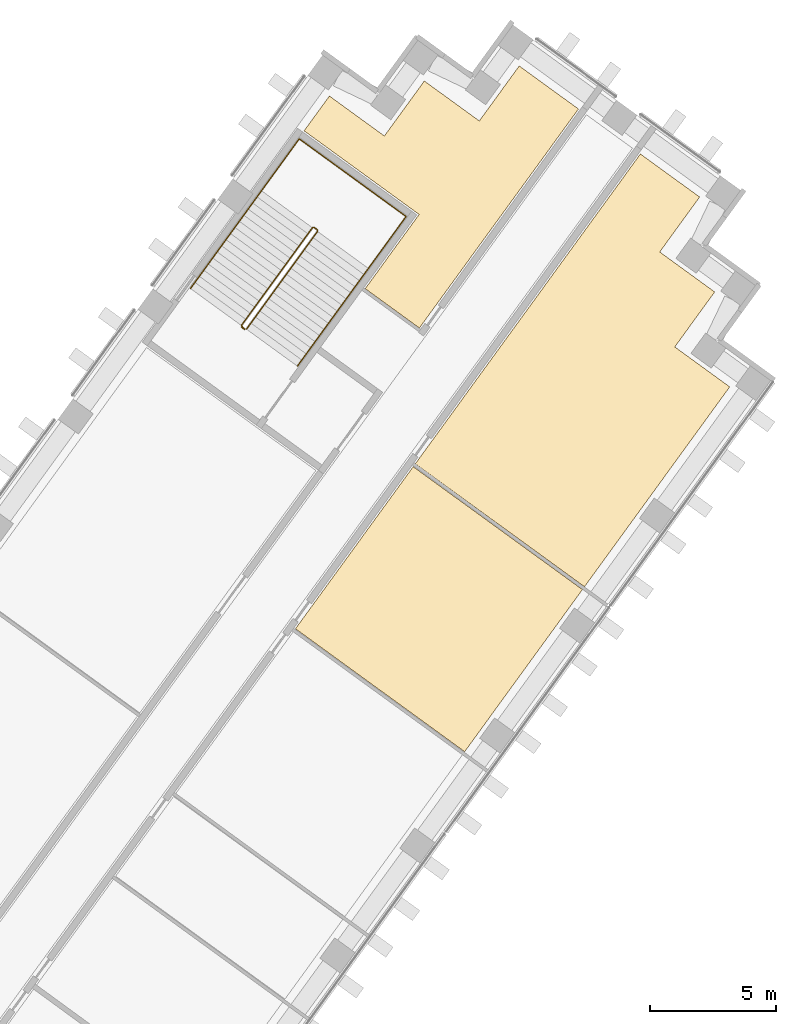
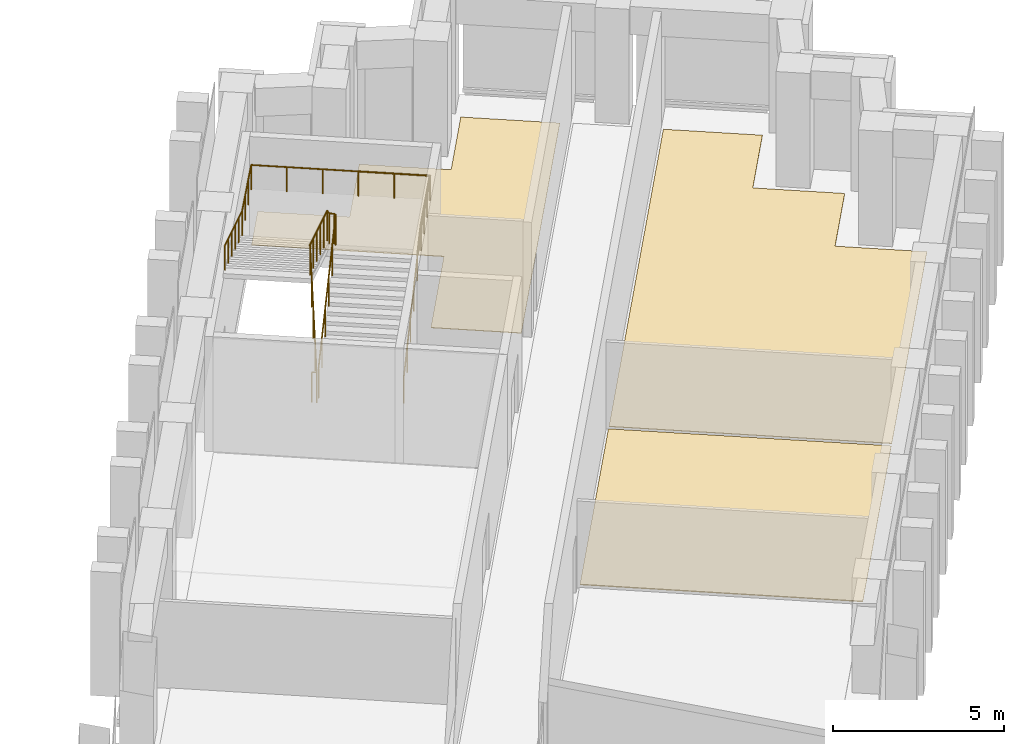
# One storey, part 15 of 15: 3 coverings, 2 railings.
"""IFC4 building model written with IfcOpenShell, lengths in metres."""

from ifc_helpers import new_model, si_unit, direction, frame, origin, origin_2d, place, context, subcontext, project, spatial, polyline, circle, outline, extrude, material, layer, layer_set, type_object, element, save


model = new_model("IFC4")

# Units and contexts
model_context = context("Model", 3, precision=1e-05, world=origin(), true_north=direction((0.0, 1.0)))
body_context = subcontext(model_context, "Body", "Model", "MODEL_VIEW")
ifc_project = project(units=[si_unit("LENGTHUNIT", "METRE"), si_unit("AREAUNIT", "SQUARE_METRE"), si_unit("VOLUMEUNIT", "CUBIC_METRE"), si_unit("PLANEANGLEUNIT", "RADIAN"), si_unit("MASSUNIT", "GRAM", prefix="KILO")], contexts=[model_context])

# Site, building, storey
site_placement = place(None, origin())
site = spatial("IfcSite", under=ifc_project, at=site_placement, CompositionType="ELEMENT")
building_placement = place(site_placement, origin())
building = spatial("IfcBuilding", under=site, at=building_placement, Name="Quipu Civic Tower", CompositionType="ELEMENT")
storey_placement = place(building_placement, frame((0.0, 0.0, 11.5)))
storey = spatial("IfcBuildingStorey", under=building, at=storey_placement, Name="L02", CompositionType="ELEMENT", Elevation=11.5)

# Coverings
ifc_material_1 = material(Name="Carpet tile on raised access floor")
ifc_layer_1 = layer(ifc_material_1, 0.02001953125)
ifc_layer_set_1 = layer_set([ifc_layer_1], Name="Carpet tile on raised access floor")
covering_type_1 = type_object("IfcCoveringType", Name="Carpet tile floor finish 20", PredefinedType="FLOORING", material=ifc_layer_set_1)
covering_1_placement = place(storey_placement, origin())
element("IfcCovering", 1, at=covering_1_placement, inside=storey, type_object=covering_type_1, Name="Carpet tile floor finish 20", PredefinedType="FLOORING", context=body_context, shape_type="SweptSolid", body=[
    extrude(outline(polyline([(36.570068359375, 39.530029296875), (37.574951171875, 40.9130859375), (39.760009765625, 39.326904296875), (41.345947265625, 41.510986328125), (43.530029296875, 39.924072265625), (45.116943359375, 42.10791015625), (47.471923828125, 40.39794921875), (41.15087890625, 31.697021484375), (38.998046875, 33.260009765625), (41.139892578125, 36.208984375), (36.570068359375, 39.530029296875)])), origin(), (0.0, 0.0, 1.0), 0.02001953125),
])
covering_2_placement = place(storey_placement, origin())
element("IfcCovering", 2, at=covering_2_placement, inside=storey, type_object=covering_type_1, Name="Carpet tile floor finish 20", PredefinedType="FLOORING", context=body_context, shape_type="SweptSolid", body=[
    extrude(outline(polyline([(40.988037109375, 26.301025390625), (49.930908203125, 38.611083984375), (52.284912109375, 36.90087890625), (50.698974609375, 34.717041015625), (52.883056640625, 33.12890625), (51.297119140625, 30.945068359375), (53.47998046875, 29.35791015625), (47.7119140625, 21.41796875), (40.988037109375, 26.301025390625)])), origin(), (0.0, 0.0, 1.0), 0.02001953125),
])
ifc_material_2 = material(Name="Ceramic floor tile")
ifc_layer_2 = layer(ifc_material_2, 0.030029296875)
ifc_layer_set_2 = layer_set([ifc_layer_2], Name="Ceramic floor tile")
covering_type_2 = type_object("IfcCoveringType", Name="Ceramic tile floor finish 30", PredefinedType="FLOORING", material=ifc_layer_set_2)
covering_3_placement = place(storey_placement, origin())
element("IfcCovering", 3, at=covering_3_placement, inside=storey, type_object=covering_type_2, Name="Ceramic tile floor finish 30", PredefinedType="FLOORING", context=body_context, shape_type="SweptSolid", body=[
    extrude(outline(polyline([(36.22705078125, 19.748046875), (40.905029296875, 26.18798828125), (47.62890625, 21.304931640625), (42.950927734375, 14.864990234375), (36.22705078125, 19.748046875)])), origin(), (0.0, 0.0, 1.0), 0.030029296875),
])

# Railings
ifc_material_3 = material(Name="Stainless steel", Category="steel")
railing_type_1 = type_object("IfcRailingType", Name="Stair guard 1100", PredefinedType="GUARDRAIL", material=ifc_material_3)
railing_1_placement = place(storey_placement, frame((34.28125, 31.650390625, 0.13232421875)))
element("IfcRailing", 4, at=railing_1_placement, inside=storey, type_object=railing_type_1, Name="Stair 7 guard", PredefinedType="GUARDRAIL", context=body_context, shape_type="SweptSolid", body=[
    extrude(circle(Radius=0.02392578125, at=origin_2d()), frame((0.0, 0.0, 1.076171875), z_axis=(0.537761686143, 0.740190150552, 0.403647011561), x_axis=(-0.809026317077, 0.587772420479, 0.0)), (0.0, 0.0, 1.0), 5.246337890625),
    extrude(circle(Radius=0.02392578125, at=origin_2d()), frame((2.8212890625, 3.88330078125, 3.19384765625), z_axis=(-0.155430446612, 0.987846838465, 0.0), x_axis=(-0.987846838465, -0.155430446612, 0.0)), (0.0, 0.0, 1.0), 0.07080078125),
    extrude(circle(Radius=0.02392578125, at=origin_2d()), frame((2.810302734375, 3.953125, 3.19384765625), z_axis=(-0.809649071907, 0.586914287065, 0.0), x_axis=(-0.586914287065, -0.809649071907, 0.0)), (0.0, 0.0, 1.0), 0.150146484375),
    extrude(circle(Radius=0.02392578125, at=origin_2d()), frame((2.688720703125, 4.041259765625, 3.19384765625), z_axis=(-0.465434601444, -0.07323271701, 0.882047391549), x_axis=(0.155430446612, -0.987846838465, 0.0)), (0.0, 0.0, 1.0), 0.14990234375),
    extrude(circle(Radius=0.02392578125, at=origin_2d()), frame((2.618896484375, 4.0302734375, 3.326171875), z_axis=(-0.537761686143, -0.740190150552, 0.403647011561), x_axis=(0.809026317077, -0.587772420479, 0.0)), (0.0, 0.0, 1.0), 5.246337890625),
    extrude(circle(Radius=0.02392578125, at=origin_2d()), frame((-0.202392578125, 0.14697265625, 5.44384765625), z_axis=(0.029374601348, -0.035065252901, -0.998953232556), x_axis=(0.766567769536, 0.642163417448, 0.0)), (0.0, 0.0, 1.0), 4.504638671875),
    extrude(circle(Radius=0.02392578125, at=origin_2d()), frame((-0.070068359375, -0.010986328125, 0.94384765625), z_axis=(-0.809087927272, 0.587687609145, 0.0), x_axis=(-0.587687609145, -0.809087927272, 0.0)), (0.0, 0.0, 1.0), 0.14990234375),
    extrude(circle(Radius=0.02099609375, at=origin_2d()), origin(), (0.0, 0.0, 1.0), 1.052001953125),
    extrude(circle(Radius=0.02099609375, at=origin_2d()), frame((0.564208984375, 0.776611328125, 0.423583984375)), (0.0, 0.0, 1.0), 1.052001953125),
    extrude(circle(Radius=0.02099609375, at=origin_2d()), frame((1.12841796875, 1.55322265625, 0.84716796875)), (0.0, 0.0, 1.0), 1.052001953125),
    extrude(circle(Radius=0.02099609375, at=origin_2d()), frame((1.69287109375, 2.330078125, 1.2705078125)), (0.0, 0.0, 1.0), 1.052001953125),
    extrude(circle(Radius=0.02099609375, at=origin_2d()), frame((2.257080078125, 3.106689453125, 1.694091796875)), (0.0, 0.0, 1.0), 1.052001953125),
    extrude(circle(Radius=0.02099609375, at=origin_2d()), frame((2.8212890625, 3.88330078125, 2.11767578125)), (0.0, 0.0, 1.0), 1.052001953125),
    extrude(circle(Radius=0.02099609375, at=origin_2d()), frame((2.810302734375, 3.953125, 2.11767578125)), (0.0, 0.0, 1.0), 1.052001953125),
    extrude(circle(Radius=0.02099609375, at=origin_2d()), frame((2.688720703125, 4.041259765625, 2.11767578125)), (0.0, 0.0, 1.0), 1.052001953125),
    extrude(circle(Radius=0.02099609375, at=origin_2d()), frame((2.618896484375, 4.0302734375, 2.25)), (0.0, 0.0, 1.0), 1.052001953125),
    extrude(circle(Radius=0.02099609375, at=origin_2d()), frame((2.0546875, 3.253662109375, 2.673583984375)), (0.0, 0.0, 1.0), 1.052001953125),
    extrude(circle(Radius=0.02099609375, at=origin_2d()), frame((1.490478515625, 2.47705078125, 3.09716796875)), (0.0, 0.0, 1.0), 1.052001953125),
    extrude(circle(Radius=0.02099609375, at=origin_2d()), frame((0.926025390625, 1.7001953125, 3.5205078125)), (0.0, 0.0, 1.0), 1.052001953125),
    extrude(circle(Radius=0.02099609375, at=origin_2d()), frame((0.36181640625, 0.923583984375, 3.944091796875)), (0.0, 0.0, 1.0), 1.052001953125),
    extrude(circle(Radius=0.02099609375, at=origin_2d()), frame((-0.202392578125, 0.14697265625, 4.36767578125)), (0.0, 0.0, 1.0), 1.052001953125),
    extrude(circle(Radius=0.02099609375, at=origin_2d()), frame((-0.16943359375, 0.107421875, 3.24267578125)), (0.0, 0.0, 1.0), 1.052001953125),
    extrude(circle(Radius=0.02099609375, at=origin_2d()), frame((-0.13623046875, 0.06787109375, 2.11767578125)), (0.0, 0.0, 1.0), 1.052001953125),
    extrude(circle(Radius=0.02099609375, at=origin_2d()), frame((-0.10302734375, 0.028564453125, 0.99267578125)), (0.0, 0.0, 1.0), 1.052001953125),
    extrude(circle(Radius=0.02099609375, at=origin_2d()), frame((-0.070068359375, -0.010986328125, -0.13232421875)), (0.0, 0.0, 1.0), 1.052001953125),
    extrude(circle(Radius=0.02099609375, at=origin_2d()), frame((-0.19140625, 0.0771484375, -0.13232421875)), (0.0, 0.0, 1.0), 1.052001953125),
])
ifc_material_4 = material(Name="Stainless steel", Category="steel")
railing_type_2 = type_object("IfcRailingType", Name="Stair handrail", PredefinedType="HANDRAIL", material=ifc_material_4)
railing_2_placement = place(storey_placement, frame((36.3037109375, 30.180908203125, 0.13232421875)))
element("IfcRailing", 5, at=railing_2_placement, inside=storey, type_object=railing_type_2, Name="Stair 7 handrail", PredefinedType="HANDRAIL", context=body_context, shape_type="SweptSolid", body=[
    extrude(circle(Radius=0.02392578125, at=origin_2d()), frame((0.0, 0.0, 0.8759765625), z_axis=(0.537761686143, 0.740190150552, 0.403647011561), x_axis=(-0.809026317077, 0.587772420479, 0.0)), (0.0, 0.0, 1.0), 5.246337890625),
    extrude(circle(Radius=0.02392578125, at=origin_2d()), frame((2.8212890625, 3.88330078125, 2.99365234375), z_axis=(0.587767432704, 0.809029940764, 0.0), x_axis=(-0.809029940764, 0.587767432704, 0.0)), (0.0, 0.0, 1.0), 2.550048828125),
    extrude(circle(Radius=0.02392578125, at=origin_2d()), frame((4.320068359375, 5.9462890625, 2.99365234375), z_axis=(-0.809009483706, 0.587795589702, 0.0), x_axis=(-0.587795589702, -0.809009483706, 0.0)), (0.0, 0.0, 1.0), 5.25),
    extrude(circle(Radius=0.02392578125, at=origin_2d()), frame((0.07275390625, 9.0322265625, 2.99365234375), z_axis=(-0.586977638712, -0.807942832239, 0.051823078707), x_axis=(0.809029940764, -0.587767432704, 0.0)), (0.0, 0.0, 1.0), 2.553466796875),
    extrude(circle(Radius=0.02392578125, at=origin_2d()), frame((-1.426025390625, 6.96923828125, 3.1259765625), z_axis=(-0.537761686143, -0.740190150552, 0.403647011561), x_axis=(0.809026317077, -0.587772420479, 0.0)), (0.0, 0.0, 1.0), 5.246337890625),
    extrude(circle(Radius=0.02099609375, at=origin_2d()), origin(), (0.0, 0.0, 1.0), 0.851806640625),
    extrude(circle(Radius=0.02099609375, at=origin_2d()), frame((0.564208984375, 0.776611328125, 0.423583984375)), (0.0, 0.0, 1.0), 0.851806640625),
    extrude(circle(Radius=0.02099609375, at=origin_2d()), frame((1.12841796875, 1.55322265625, 0.84716796875)), (0.0, 0.0, 1.0), 0.851806640625),
    extrude(circle(Radius=0.02099609375, at=origin_2d()), frame((1.69287109375, 2.330078125, 1.2705078125)), (0.0, 0.0, 1.0), 0.851806640625),
    extrude(circle(Radius=0.02099609375, at=origin_2d()), frame((2.257080078125, 3.106689453125, 1.694091796875)), (0.0, 0.0, 1.0), 0.851806640625),
    extrude(circle(Radius=0.02099609375, at=origin_2d()), frame((2.8212890625, 3.88330078125, 2.11767578125)), (0.0, 0.0, 1.0), 0.851806640625),
    extrude(circle(Radius=0.02099609375, at=origin_2d()), frame((3.32080078125, 4.571044921875, 2.11767578125)), (0.0, 0.0, 1.0), 0.851806640625),
    extrude(circle(Radius=0.02099609375, at=origin_2d()), frame((3.820556640625, 5.258544921875, 2.11767578125)), (0.0, 0.0, 1.0), 0.851806640625),
    extrude(circle(Radius=0.02099609375, at=origin_2d()), frame((4.320068359375, 5.9462890625, 2.11767578125)), (0.0, 0.0, 1.0), 0.851806640625),
    extrude(circle(Radius=0.02099609375, at=origin_2d()), frame((3.470703125, 6.5634765625, 2.11767578125)), (0.0, 0.0, 1.0), 0.851806640625),
    extrude(circle(Radius=0.02099609375, at=origin_2d()), frame((2.62109375, 7.1806640625, 2.11767578125)), (0.0, 0.0, 1.0), 0.851806640625),
    extrude(circle(Radius=0.02099609375, at=origin_2d()), frame((1.771728515625, 7.7978515625, 2.11767578125)), (0.0, 0.0, 1.0), 0.851806640625),
    extrude(circle(Radius=0.02099609375, at=origin_2d()), frame((0.922119140625, 8.4150390625, 2.11767578125)), (0.0, 0.0, 1.0), 0.851806640625),
    extrude(circle(Radius=0.02099609375, at=origin_2d()), frame((0.07275390625, 9.0322265625, 2.11767578125)), (0.0, 0.0, 1.0), 0.851806640625),
    extrude(circle(Radius=0.02099609375, at=origin_2d()), frame((-0.4267578125, 8.344482421875, 2.161865234375)), (0.0, 0.0, 1.0), 0.851806640625),
    extrude(circle(Radius=0.02099609375, at=origin_2d()), frame((-0.926513671875, 7.656982421875, 2.205810546875)), (0.0, 0.0, 1.0), 0.851806640625),
    extrude(circle(Radius=0.02099609375, at=origin_2d()), frame((-1.426025390625, 6.96923828125, 2.25)), (0.0, 0.0, 1.0), 0.851806640625),
    extrude(circle(Radius=0.02099609375, at=origin_2d()), frame((-1.990234375, 6.192626953125, 2.673583984375)), (0.0, 0.0, 1.0), 0.851806640625),
    extrude(circle(Radius=0.02099609375, at=origin_2d()), frame((-2.554443359375, 5.416015625, 3.09716796875)), (0.0, 0.0, 1.0), 0.851806640625),
    extrude(circle(Radius=0.02099609375, at=origin_2d()), frame((-3.118896484375, 4.63916015625, 3.5205078125)), (0.0, 0.0, 1.0), 0.851806640625),
    extrude(circle(Radius=0.02099609375, at=origin_2d()), frame((-3.68310546875, 3.862548828125, 3.944091796875)), (0.0, 0.0, 1.0), 0.851806640625),
    extrude(circle(Radius=0.02099609375, at=origin_2d()), frame((-4.247314453125, 3.0859375, 4.36767578125)), (0.0, 0.0, 1.0), 0.851806640625),
])

save(model, "model.ifc")
